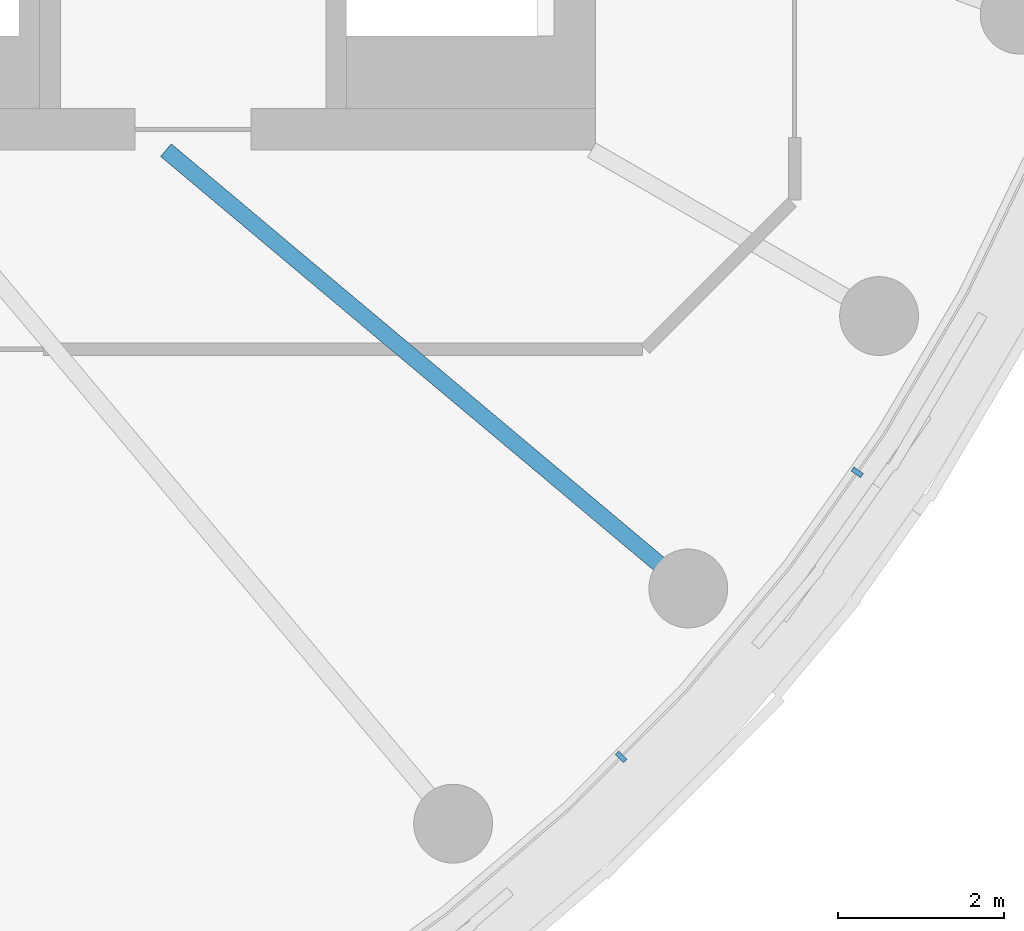
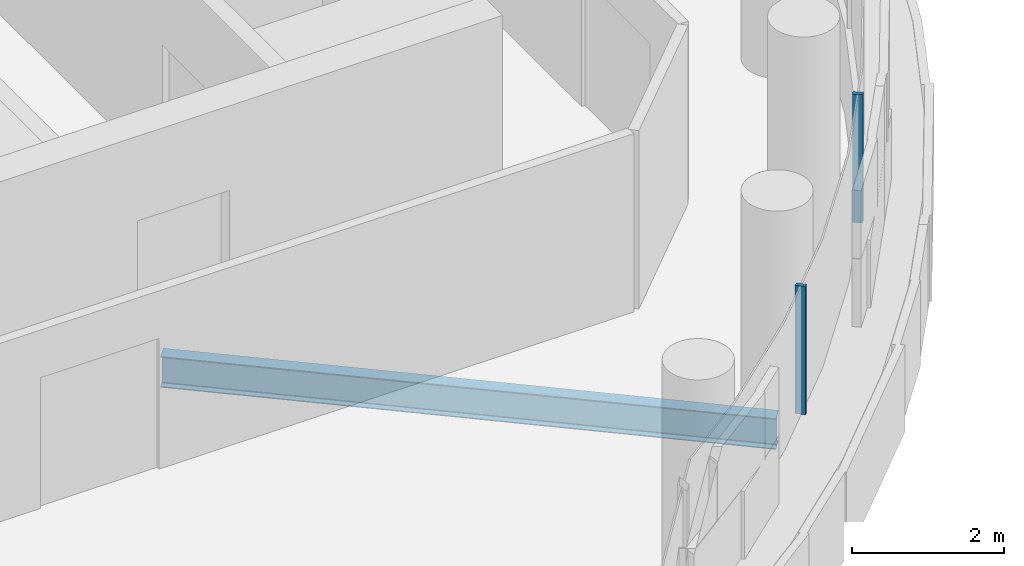
# One storey, part 8 of 34: 2 members, 1 beam, 1 element without a shape of its own.
"""IFC4 building model written with IfcOpenShell, lengths in metres."""

from ifc_helpers import new_model, si_unit, direction, frame, origin, origin_2d, place, context, subcontext, project, spatial, rectangle, i_section, extrude, material, layer, layer_set, material_profile, profile_set, type_object, element, aggregate, save


model = new_model("IFC4")

# Units and contexts
model_context = context("Model", 3, precision=1e-05, world=origin(), true_north=direction((0.0, 1.0)))
body_context = subcontext(model_context, "Body", "Model", "MODEL_VIEW")
ifc_project = project(units=[si_unit("LENGTHUNIT", "METRE"), si_unit("AREAUNIT", "SQUARE_METRE"), si_unit("VOLUMEUNIT", "CUBIC_METRE"), si_unit("PLANEANGLEUNIT", "RADIAN"), si_unit("MASSUNIT", "GRAM", prefix="KILO")], contexts=[model_context])

# Site, building, storey
site_placement = place(None, origin())
site = spatial("IfcSite", under=ifc_project, at=site_placement, CompositionType="ELEMENT")
building_placement = place(site_placement, origin())
building = spatial("IfcBuilding", under=site, at=building_placement, Name="Tamarind Cross Interchange Tower", CompositionType="ELEMENT")
storey_placement = place(building_placement, frame((0.0, 0.0, 189.699951171875)))
storey = spatial("IfcBuildingStorey", under=building, at=storey_placement, Name="L47", CompositionType="ELEMENT", Elevation=189.699951171875)

# Beam
ifc_material_1 = material(Name="Steel Q355B", Category="steel")
ifc_material_profile_1 = material_profile(ifc_material_1, i_section(OverallWidth=0.198974609375, OverallDepth=0.49609375, WebThickness=0.009033203125, FlangeThickness=0.013916015625, FilletRadius=0.012939453125, at=origin_2d()), Name="HN 496x199x9x14")
ifc_profile_set_1 = profile_set([ifc_material_profile_1], Name="Steel Q355B")
beam_type = type_object("IfcBeamType", Name="Composite beam HN 496x199x9x14 Q355B", PredefinedType="BEAM", material=ifc_profile_set_1)
beam_placement = place(storey_placement, frame((17.619140625, -14.7841796875, -0.387939453125), z_axis=(-0.766040580814, 0.642792212574, 0.0), x_axis=(-0.642792212574, -0.766040580814, 0.0)))
element("IfcBeam", 1, at=beam_placement, inside=storey, type_object=beam_type, Name="Beam HH32", PredefinedType="BEAM", context=body_context, shape_type="SweptSolid", body=[
    extrude(i_section(OverallWidth=0.198974609375, OverallDepth=0.49609375, WebThickness=0.009033203125, FlangeThickness=0.013916015625, FilletRadius=0.012939453125, at=origin_2d()), origin(), (0.0, 0.0, 1.0), 8.220703125),
])

# Curtain wall, members
ifc_material_2 = material(Name="Aluminium 6063-T6", Category="aluminium")
ifc_layer = layer(ifc_material_2, 0.139892578125)
ifc_layer_set = layer_set([ifc_layer], Name="Aluminium 6063-T6")
curtain_wall_type = type_object("IfcCurtainWallType", Name="Hotel curtain wall, 4.5 m bays", PredefinedType="NOTDEFINED", material=ifc_layer_set)
curtain_wall_placement = place(storey_placement, origin())
curtain_wall = element("IfcCurtainWall", 2, at=curtain_wall_placement, inside=storey, type_object=curtain_wall_type, Name="CWS-L47-02", PredefinedType="NOTDEFINED")
ifc_material_profile_2 = material_profile(ifc_material_2, rectangle(XDim=0.06005859375, YDim=0.139892578125, at=origin_2d()), Name="Mullion CW2")
ifc_profile_set_2 = profile_set([ifc_material_profile_2], Name="Aluminium 6063-T6")
member_type = type_object("IfcMemberType", Name="Mullion CW2", PredefinedType="MULLION", material=ifc_profile_set_2)
member_1_placement = place(storey_placement, frame((16.80859375, -16.815185546875, 1.400146484375), z_axis=(0.0, 0.0, 1.0), x_axis=(0.704057148523, 0.710143317658, 0.0)))
member_1 = element("IfcMember", 3, at=member_1_placement, type_object=member_type, Name="CWM-L47-02-02", PredefinedType="MULLION", context=body_context, shape_type="SweptSolid", body=[
    extrude(rectangle(XDim=0.06005859375, YDim=0.139892578125, at=origin_2d()), origin(), (0.0, 0.0, 1.0), 2.059814453125),
])
member_2_placement = place(storey_placement, frame((19.655517578125, -13.383544921875, 1.400146484375), z_axis=(0.0, 0.0, 1.0), x_axis=(0.577568978284, 0.816341886298, 0.0)))
member_2 = element("IfcMember", 4, at=member_2_placement, type_object=member_type, Name="CWM-L47-02-03", PredefinedType="MULLION", context=body_context, shape_type="SweptSolid", body=[
    extrude(rectangle(XDim=0.06005859375, YDim=0.139892578125, at=origin_2d()), origin(), (0.0, 0.0, 1.0), 2.059814453125),
])
aggregate(curtain_wall, [member_1, member_2])

save(model, "model.ifc")
